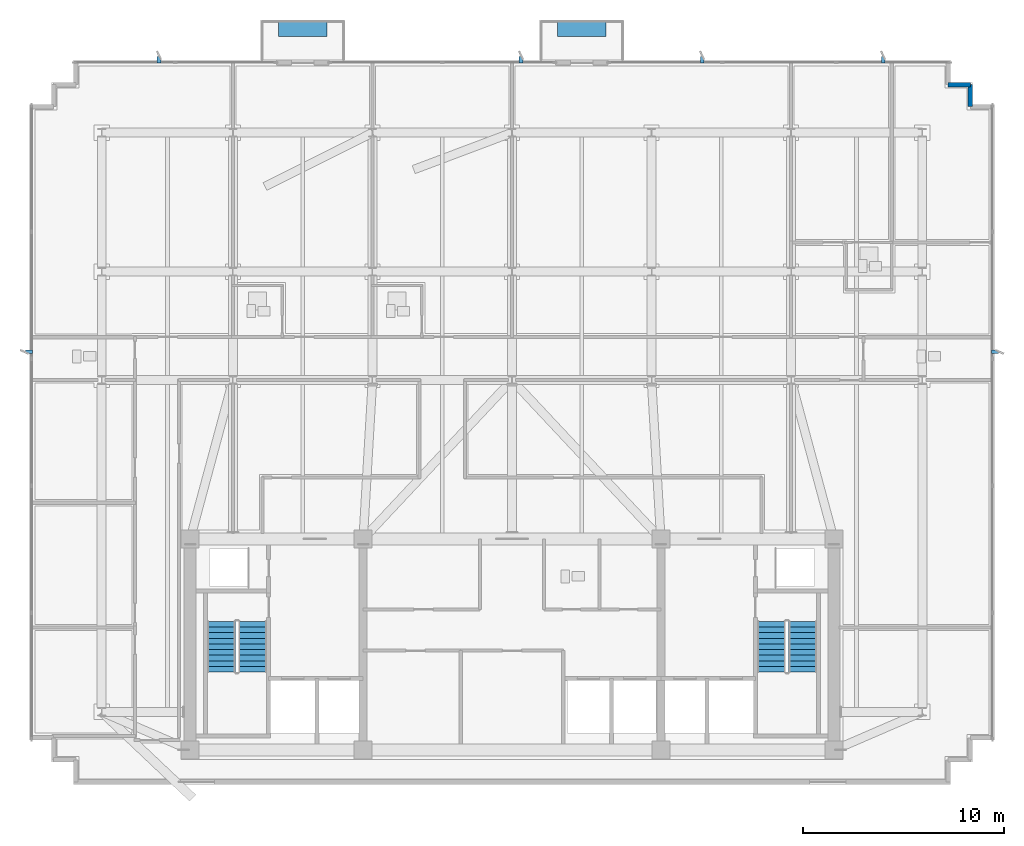
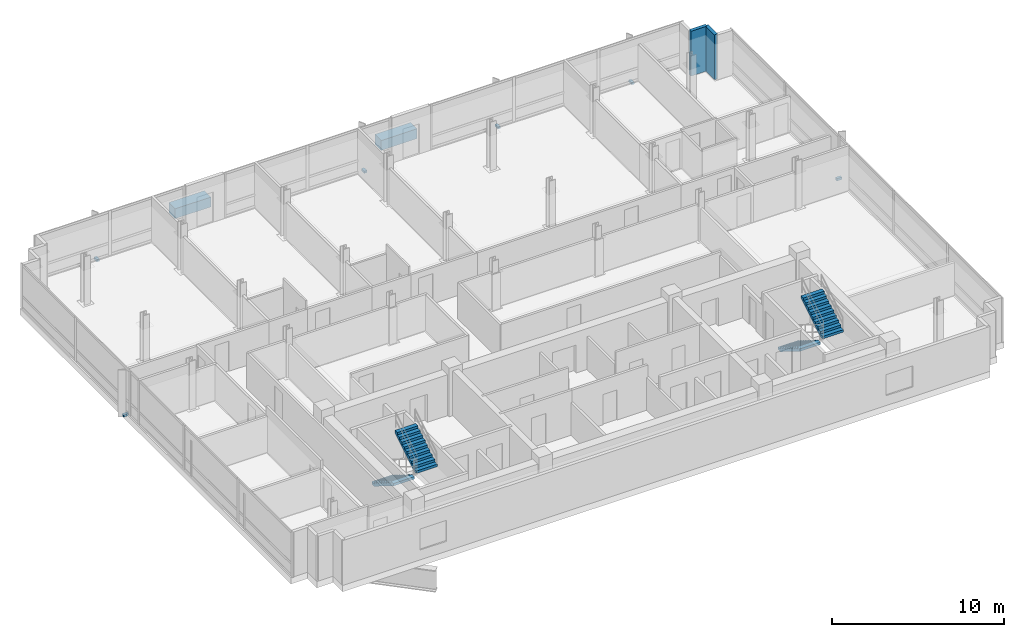
# One storey, part 11 of 16: 8 discrete accessories, 4 stair flights, 2 walls, 2 elements without a shape of their own.
"""IFC4 building model written with IfcOpenShell, lengths in metres."""

from ifc_helpers import new_model, si_unit, direction, frame, frame_2d, origin, origin_2d, place, context, subcontext, project, spatial, polyline, rectangle, outline, extrude, material, layer, layer_set, type_object, element, aggregate, save


model = new_model("IFC4")

# Units and contexts
model_context = context("Model", 3, precision=1e-05, world=origin(), true_north=direction((0.0, 1.0)))
body_context = subcontext(model_context, "Body", "Model", "MODEL_VIEW")
ifc_project = project(units=[si_unit("LENGTHUNIT", "METRE"), si_unit("AREAUNIT", "SQUARE_METRE"), si_unit("VOLUMEUNIT", "CUBIC_METRE"), si_unit("PLANEANGLEUNIT", "RADIAN"), si_unit("MASSUNIT", "GRAM", prefix="KILO")], contexts=[model_context])

# Site, building, storey
site_placement = place(None, origin())
site = spatial("IfcSite", under=ifc_project, at=site_placement, CompositionType="ELEMENT")
building_placement = place(site_placement, origin())
building = spatial("IfcBuilding", under=site, at=building_placement, Name="Solmavex Isthmus Hotel", CompositionType="ELEMENT")
storey_placement = place(building_placement, frame((0.0, 0.0, 245.39990234375)))
storey = spatial("IfcBuildingStorey", under=building, at=storey_placement, Name="L66", CompositionType="ELEMENT", Elevation=245.39990234375)

# Walls
ifc_material_1 = material(Name="Precast Concrete C40/50", Category="concrete")
ifc_layer = layer(ifc_material_1, 0.25)
ifc_layer_set = layer_set([ifc_layer], Name="Precast Concrete C40/50")
wall_type = type_object("IfcWallType", Name="EW-TWR-250", PredefinedType="STANDARD", material=ifc_layer_set)
for number, where, z_axis, x_axis, name in (
    (1, (21.68994140625, 20.090087890625, 0.0), (0.0, 0.0, 1.0), (1.0, 0.0, 0.0), "Serrated Corner Facade Panel L66-12"),
    (2, (22.7900390625, 20.090087890625, 0.0), (0.0, 0.0, 1.0), (0.0, -1.0, 0.0), "Serrated Corner Facade Panel L66-13"),
):
    element("IfcWall", number, at=place(storey_placement, frame(where, z_axis=z_axis, x_axis=x_axis)), inside=storey, type_object=wall_type, Name=name, PredefinedType="STANDARD", context=body_context, shape_type="SweptSolid", body=[
        extrude(rectangle(XDim=1.10009765625, YDim=0.219970703125, at=frame_2d((0.550048828125, 0.0))), origin(), (0.0, 0.0, 1.0), 3.190185546875),
    ])

# Stair, stair flights
ifc_material_2 = material(Name="Concrete C40/50", Category="concrete")
stair_type_1 = type_object("IfcStairType", Name="STR-ST-1", PredefinedType="HALF_TURN_STAIR", material=ifc_material_2)
stair_1_placement = place(storey_placement, origin())
stair_1 = element("IfcStair", 3, at=stair_1_placement, inside=storey, type_object=stair_type_1, Name="L66 Protected Exit Stair ST-1", PredefinedType="HALF_TURN_STAIR")
stair_flight_type_1 = type_object("IfcStairFlightType", Name="SFL-ST-1", PredefinedType="STRAIGHT", material=ifc_material_2)
stair_flight_1_placement = place(storey_placement, frame((-14.449951171875, -6.60009765625, 0.0), z_axis=(0.0, 0.0, 1.0), x_axis=(0.0, -1.0, 0.0)))
stair_flight_1 = element("IfcStairFlight", 4, at=stair_flight_1_placement, type_object=stair_flight_type_1, Name="ST-1 flight 1", NumberOfRisers=10, NumberOfTreads=9, PredefinedType="STRAIGHT", RiserHeight=0.1725, TreadLength=0.28, context=body_context, shape_type="SweptSolid", body=[
    extrude(outline(polyline([(0.0, 0.0), (0.0, 0.172607421875), (0.280029296875, 0.172607421875), (0.280029296875, 0.344970703125), (0.56005859375, 0.344970703125), (0.56005859375, 0.517578125), (0.840087890625, 0.517578125), (0.840087890625, 0.68994140625), (1.1201171875, 0.68994140625), (1.1201171875, 0.862548828125), (1.39990234375, 0.862548828125), (1.39990234375, 1.034912109375), (1.679931640625, 1.034912109375), (1.679931640625, 1.20751953125), (1.9599609375, 1.20751953125), (1.9599609375, 1.3798828125), (2.239990234375, 1.3798828125), (2.239990234375, 1.552490234375), (2.52001953125, 1.552490234375), (2.52001953125, 1.72509765625), (2.52001953125, 1.37646484375), (0.285888671875, 0.0), (0.0, 0.0)])), frame((0.0, 0.699951171875, 0.0), z_axis=(0.0, -1.0, 0.0), x_axis=(1.0, 0.0, 0.0)), (0.0, 0.0, 1.0), 1.39990234375),
])
stair_flight_2_placement = place(storey_placement, frame((-12.89990234375, -9.1201171875, 1.72509765625), z_axis=(0.0, 0.0, 1.0), x_axis=(0.0, 1.0, 0.0)))
stair_flight_2 = element("IfcStairFlight", 5, at=stair_flight_2_placement, type_object=stair_flight_type_1, Name="ST-1 flight 2", NumberOfRisers=10, NumberOfTreads=9, PredefinedType="STRAIGHT", RiserHeight=0.1725, TreadLength=0.28, context=body_context, shape_type="SweptSolid", body=[
    extrude(outline(polyline([(0.0, 0.0), (0.0, 0.172607421875), (0.280029296875, 0.172607421875), (0.280029296875, 0.344970703125), (0.56005859375, 0.344970703125), (0.56005859375, 0.517578125), (0.840087890625, 0.517578125), (0.840087890625, 0.68994140625), (1.1201171875, 0.68994140625), (1.1201171875, 0.862548828125), (1.39990234375, 0.862548828125), (1.39990234375, 1.034912109375), (1.679931640625, 1.034912109375), (1.679931640625, 1.20751953125), (1.9599609375, 1.20751953125), (1.9599609375, 1.3798828125), (2.239990234375, 1.3798828125), (2.239990234375, 1.552490234375), (2.52001953125, 1.552490234375), (2.52001953125, 1.72509765625), (2.52001953125, 1.37646484375), (0.285888671875, 0.0), (0.0, 0.0)])), frame((0.0, 0.699951171875, 0.0), z_axis=(0.0, -1.0, 0.0), x_axis=(1.0, 0.0, 0.0)), (0.0, 0.0, 1.0), 1.39990234375),
])
aggregate(stair_1, [stair_flight_1, stair_flight_2])

stair_type_2 = type_object("IfcStairType", Name="STR-ST-2", PredefinedType="HALF_TURN_STAIR", material=ifc_material_2)
stair_2_placement = place(storey_placement, origin())
stair_2 = element("IfcStair", 6, at=stair_2_placement, inside=storey, type_object=stair_type_2, Name="L66 Protected Exit Stair ST-2", PredefinedType="HALF_TURN_STAIR")
stair_flight_type_2 = type_object("IfcStairFlightType", Name="SFL-ST-2", PredefinedType="STRAIGHT", material=ifc_material_2)
stair_flight_3_placement = place(storey_placement, frame((12.89990234375, -6.60009765625, 0.0), z_axis=(0.0, 0.0, 1.0), x_axis=(0.0, -1.0, 0.0)))
stair_flight_3 = element("IfcStairFlight", 7, at=stair_flight_3_placement, type_object=stair_flight_type_2, Name="ST-2 flight 1", NumberOfRisers=10, NumberOfTreads=9, PredefinedType="STRAIGHT", RiserHeight=0.1725, TreadLength=0.28, context=body_context, shape_type="SweptSolid", body=[
    extrude(outline(polyline([(0.0, 0.0), (0.0, 0.172607421875), (0.280029296875, 0.172607421875), (0.280029296875, 0.344970703125), (0.56005859375, 0.344970703125), (0.56005859375, 0.517578125), (0.840087890625, 0.517578125), (0.840087890625, 0.68994140625), (1.1201171875, 0.68994140625), (1.1201171875, 0.862548828125), (1.39990234375, 0.862548828125), (1.39990234375, 1.034912109375), (1.679931640625, 1.034912109375), (1.679931640625, 1.20751953125), (1.9599609375, 1.20751953125), (1.9599609375, 1.3798828125), (2.239990234375, 1.3798828125), (2.239990234375, 1.552490234375), (2.52001953125, 1.552490234375), (2.52001953125, 1.72509765625), (2.52001953125, 1.37646484375), (0.285888671875, 0.0), (0.0, 0.0)])), frame((0.0, 0.699951171875, 0.0), z_axis=(0.0, -1.0, 0.0), x_axis=(1.0, 0.0, 0.0)), (0.0, 0.0, 1.0), 1.39990234375),
])
stair_flight_4_placement = place(storey_placement, frame((14.449951171875, -9.1201171875, 1.72509765625), z_axis=(0.0, 0.0, 1.0), x_axis=(0.0, 1.0, 0.0)))
stair_flight_4 = element("IfcStairFlight", 8, at=stair_flight_4_placement, type_object=stair_flight_type_2, Name="ST-2 flight 2", NumberOfRisers=10, NumberOfTreads=9, PredefinedType="STRAIGHT", RiserHeight=0.1725, TreadLength=0.28, context=body_context, shape_type="SweptSolid", body=[
    extrude(outline(polyline([(0.0, 0.0), (0.0, 0.172607421875), (0.280029296875, 0.172607421875), (0.280029296875, 0.344970703125), (0.56005859375, 0.344970703125), (0.56005859375, 0.517578125), (0.840087890625, 0.517578125), (0.840087890625, 0.68994140625), (1.1201171875, 0.68994140625), (1.1201171875, 0.862548828125), (1.39990234375, 0.862548828125), (1.39990234375, 1.034912109375), (1.679931640625, 1.034912109375), (1.679931640625, 1.20751953125), (1.9599609375, 1.20751953125), (1.9599609375, 1.3798828125), (2.239990234375, 1.3798828125), (2.239990234375, 1.552490234375), (2.52001953125, 1.552490234375), (2.52001953125, 1.72509765625), (2.52001953125, 1.37646484375), (0.285888671875, 0.0), (0.0, 0.0)])), frame((0.0, 0.699951171875, 0.0), z_axis=(0.0, -1.0, 0.0), x_axis=(1.0, 0.0, 0.0)), (0.0, 0.0, 1.0), 1.39990234375),
])
aggregate(stair_2, [stair_flight_3, stair_flight_4])

# Discrete accessories
ifc_material_3 = material(Name="Steel ASTM A572 Grade 50", Category="steel")
discrete_accessory_type_1 = type_object("IfcDiscreteAccessoryType", Name="ACC-BRK-FIN", PredefinedType="BRACKET", material=ifc_material_3)
for number, where, z_axis, x_axis, name in (
    (9, (-17.550048828125, 21.320068359375, -0.169921875), (0.0, 0.0, 1.0), (0.0, 1.0, 0.0), "Facade Fin Support Bracket L66-N1"),
    (10, (0.449951171875, 21.320068359375, -0.169921875), (0.0, 0.0, 1.0), (0.0, 1.0, 0.0), "Facade Fin Support Bracket L66-N2"),
    (11, (9.449951171875, 21.320068359375, -0.169921875), (0.0, 0.0, 1.0), (0.0, 1.0, 0.0), "Facade Fin Support Bracket L66-N3"),
    (12, (18.449951171875, 21.320068359375, -0.169921875), (0.0, 0.0, 1.0), (0.0, 1.0, 0.0), "Facade Fin Support Bracket L66-N4"),
    (13, (-24.02001953125, 6.800048828125, -0.169921875), (0.0, 0.0, 1.0), (-1.0, 0.0, 0.0), "Facade Fin Support Bracket L66-W1"),
    (14, (24.02001953125, 6.800048828125, -0.169921875), (0.0, 0.0, 1.0), (1.0, 0.0, 0.0), "Facade Fin Support Bracket L66-E1"),
):
    element("IfcDiscreteAccessory", number, at=place(storey_placement, frame(where, z_axis=z_axis, x_axis=x_axis)), inside=storey, type_object=discrete_accessory_type_1, Name=name, PredefinedType="BRACKET", context=body_context, shape_type="SweptSolid", body=[
        extrude(rectangle(XDim=0.340087890625, YDim=0.179931640625, at=origin_2d()), origin(), (0.0, 0.0, 1.0), 0.159912109375),
    ])
discrete_accessory_type_2 = type_object("IfcDiscreteAccessoryType", Name="ACC-PLN-BALC", PredefinedType="USERDEFINED", material=ifc_material_1)
for number, where, z_axis, x_axis, name in (
    (15, (-10.404052734375, 22.85009765625, 0.0), (0.0, 0.0, 1.0), (1.0, 0.0, 0.0), "Tree-Balcony Architectural Planter L66-B1"),
    (16, (3.468017578125, 22.85009765625, 0.0), (0.0, 0.0, 1.0), (1.0, 0.0, 0.0), "Tree-Balcony Architectural Planter L66-B2"),
):
    element("IfcDiscreteAccessory", number, at=place(storey_placement, frame(where, z_axis=z_axis, x_axis=x_axis)), inside=storey, type_object=discrete_accessory_type_2, Name=name, ObjectType="PLANTER", PredefinedType="USERDEFINED", context=body_context, shape_type="SweptSolid", body=[
        extrude(rectangle(XDim=2.39990234375, YDim=0.75, at=origin_2d()), origin(), (0.0, 0.0, 1.0), 0.699951171875),
    ])

save(model, "model.ifc")
